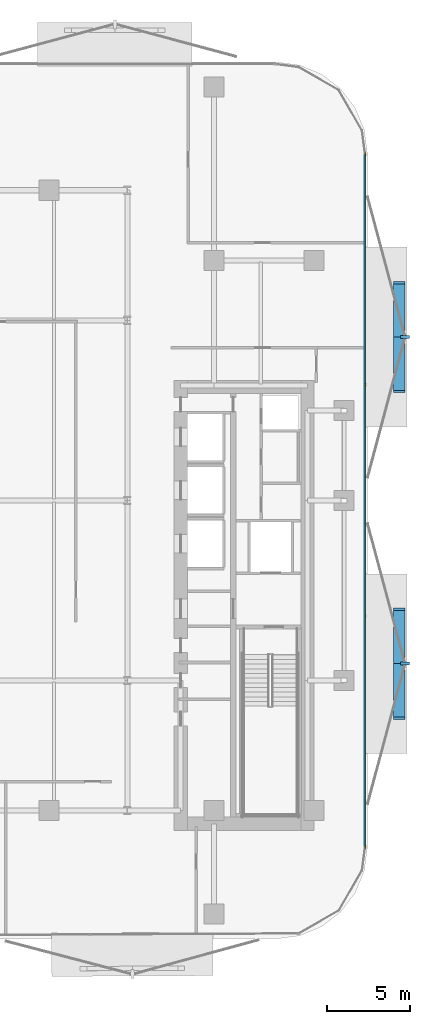
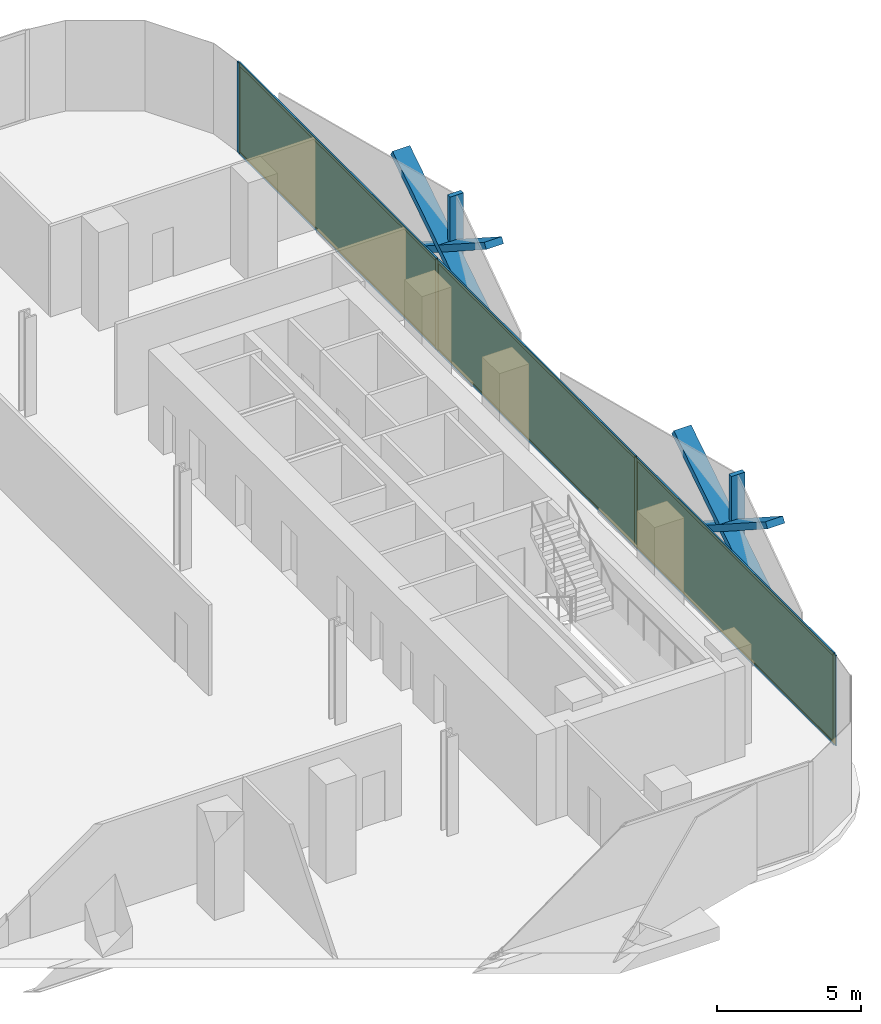
# One storey, part 9 of 15: 16 members, 3 plates, 1 curtain wall.
"""IFC4 building model written with IfcOpenShell, lengths in metres."""

from ifc_helpers import new_model, si_unit, direction, frame, frame_2d, origin, origin_2d, place, context, subcontext, project, spatial, rectangle, extrude, material, layer, layer_set, material_profile, profile_set, type_object, element, aggregate, save


model = new_model("IFC4")

# Units and contexts
model_context = context("Model", 3, precision=1e-05, world=origin(), true_north=direction((0.0, 1.0)))
body_context = subcontext(model_context, "Body", "Model", "MODEL_VIEW")
ifc_project = project(units=[si_unit("LENGTHUNIT", "METRE"), si_unit("AREAUNIT", "SQUARE_METRE"), si_unit("VOLUMEUNIT", "CUBIC_METRE"), si_unit("PLANEANGLEUNIT", "RADIAN"), si_unit("MASSUNIT", "GRAM", prefix="KILO")], contexts=[model_context])

# Member
ifc_material_1 = material(Name="Anodised Bronze Aluminium 6063-T6", Category="aluminium")
ifc_material_profile_1 = material_profile(ifc_material_1, rectangle(XDim=0.260009765625, YDim=0.699951171875, at=origin_2d()))
ifc_profile_set_1 = profile_set([ifc_material_profile_1], Name="Anodised Bronze Aluminium 6063-T6")
member_type_1 = type_object("IfcMemberType", Name="Bronze Diamond Solar-Screen Lattice Rib BDL-700", PredefinedType="MULLION", material=ifc_profile_set_1)
site_placement = place(None, origin())
building_placement = place(site_placement, origin())
storey_placement = place(building_placement, frame((0.0, 0.0, 147.800048828125)))
member_1_placement = place(storey_placement, frame((25.5, 13.060546875, -0.130126953125), z_axis=(0.0, -0.841051770023, 0.540954637785), x_axis=(0.0, -0.540954637785, -0.841051770023)))
member_1 = element("IfcMember", 1, at=member_1_placement, type_object=member_type_1, Name="L34 Bronze Diamond Solar Screen Lattice Rib 223A", PredefinedType="MULLION", context=body_context, shape_type="SweptSolid", body=[
    extrude(rectangle(XDim=0.260009765625, YDim=0.699951171875, at=origin_2d()), origin(), (0.0, 0.0, 1.0), 7.764404296875),
])

member_2_placement = place(storey_placement, frame((25.5, 6.5302734375, -0.130126953125), z_axis=(0.0, 0.841051770023, 0.540954637785), x_axis=(0.0, 0.540954637785, -0.841051770023)))
member_2 = element("IfcMember", 2, at=member_2_placement, type_object=member_type_1, Name="L34 Bronze Diamond Solar Screen Lattice Rib 223B", PredefinedType="MULLION", context=body_context, shape_type="SweptSolid", body=[
    extrude(rectangle(XDim=0.260009765625, YDim=0.699951171875, at=origin_2d()), origin(), (0.0, 0.0, 1.0), 7.764404296875),
])

member_3_placement = place(storey_placement, frame((25.5, -6.5302734375, -0.130126953125), z_axis=(0.0, -0.841051770023, 0.540954637785), x_axis=(0.0, -0.540954637785, -0.841051770023)))
member_3 = element("IfcMember", 3, at=member_3_placement, type_object=member_type_1, Name="L34 Bronze Diamond Solar Screen Lattice Rib 224A", PredefinedType="MULLION", context=body_context, shape_type="SweptSolid", body=[
    extrude(rectangle(XDim=0.260009765625, YDim=0.699951171875, at=origin_2d()), origin(), (0.0, 0.0, 1.0), 7.764404296875),
])

member_4_placement = place(storey_placement, frame((25.5, -13.060546875, -0.130126953125), z_axis=(0.0, 0.841051770023, 0.540954637785), x_axis=(0.0, 0.540954637785, -0.841051770023)))
member_4 = element("IfcMember", 4, at=member_4_placement, type_object=member_type_1, Name="L34 Bronze Diamond Solar Screen Lattice Rib 224B", PredefinedType="MULLION", context=body_context, shape_type="SweptSolid", body=[
    extrude(rectangle(XDim=0.260009765625, YDim=0.699951171875, at=origin_2d()), origin(), (0.0, 0.0, 1.0), 7.764404296875),
])

ifc_material_2 = material(Name="Anodised Bronze Aluminium 6063-T6", Category="aluminium")
ifc_material_profile_2 = material_profile(ifc_material_2, rectangle(XDim=0.179931640625, YDim=0.5400390625, at=origin_2d()))
ifc_profile_set_2 = profile_set([ifc_material_profile_2], Name="Anodised Bronze Aluminium 6063-T6")
member_type_2 = type_object("IfcMemberType", Name="Bronze Solar-Screen Vertical Fold Fin BSF-540", PredefinedType="MULLION", material=ifc_profile_set_2)
member_5_placement = place(storey_placement, frame((25.840087890625, 9.79541015625, -0.130126953125), z_axis=(0.0, 0.0, 1.0), x_axis=(0.0, -1.0, 0.0)))
member_5 = element("IfcMember", 5, at=member_5_placement, type_object=member_type_2, Name="L34 Bronze Solar Screen Vertical Fin 223", PredefinedType="MULLION", context=body_context, shape_type="SweptSolid", body=[
    extrude(rectangle(XDim=0.179931640625, YDim=0.5400390625, at=origin_2d()), origin(), (0.0, 0.0, 1.0), 4.2001953125),
])

member_6_placement = place(storey_placement, frame((25.840087890625, -9.79541015625, -0.130126953125), z_axis=(0.0, 0.0, 1.0), x_axis=(0.0, -1.0, 0.0)))
member_6 = element("IfcMember", 6, at=member_6_placement, type_object=member_type_2, Name="L34 Bronze Solar Screen Vertical Fin 224", PredefinedType="MULLION", context=body_context, shape_type="SweptSolid", body=[
    extrude(rectangle(XDim=0.179931640625, YDim=0.5400390625, at=origin_2d()), origin(), (0.0, 0.0, 1.0), 4.2001953125),
])

ifc_material_3 = material(Name="Anodised Bronze Aluminium 6063-T6", Category="aluminium")
ifc_material_profile_3 = material_profile(ifc_material_3, rectangle(XDim=0.06494140625, YDim=0.175048828125, at=origin_2d()))
ifc_profile_set_3 = profile_set([ifc_material_profile_3], Name="Anodised Bronze Aluminium 6063-T6")
member_type_3 = type_object("IfcMemberType", Name="CW-Z2 Mullion 65x175", PredefinedType="MULLION", material=ifc_profile_set_3)
member_7_placement = place(storey_placement, frame((23.4599609375, 20.75830078125, 0.0), z_axis=(0.0, 0.0, 1.0), x_axis=(1.0, 0.0, 0.0)))
member_7 = element("IfcMember", 7, at=member_7_placement, type_object=member_type_3, Name="CW-Z2 mullion 1", PredefinedType="MULLION", context=body_context, shape_type="SweptSolid", body=[
    extrude(rectangle(XDim=0.06494140625, YDim=0.175048828125, at=origin_2d()), origin(), (0.0, 0.0, 1.0), 3.849853515625),
])

member_8_placement = place(storey_placement, frame((23.4599609375, 6.93017578125, 0.0), z_axis=(0.0, 0.0, 1.0), x_axis=(1.0, 0.0, 0.0)))
member_8 = element("IfcMember", 8, at=member_8_placement, type_object=member_type_3, Name="CW-Z2 mullion 2", PredefinedType="MULLION", context=body_context, shape_type="SweptSolid", body=[
    extrude(rectangle(XDim=0.06494140625, YDim=0.175048828125, at=origin_2d()), origin(), (0.0, 0.0, 1.0), 3.849853515625),
])

member_9_placement = place(storey_placement, frame((23.4599609375, -6.93017578125, 0.0), z_axis=(0.0, 0.0, 1.0), x_axis=(1.0, 0.0, 0.0)))
member_9 = element("IfcMember", 9, at=member_9_placement, type_object=member_type_3, Name="CW-Z2 mullion 3", PredefinedType="MULLION", context=body_context, shape_type="SweptSolid", body=[
    extrude(rectangle(XDim=0.06494140625, YDim=0.175048828125, at=origin_2d()), origin(), (0.0, 0.0, 1.0), 3.849853515625),
])

member_10_placement = place(storey_placement, frame((23.4599609375, -20.75830078125, 0.0), z_axis=(0.0, 0.0, 1.0), x_axis=(1.0, 0.0, 0.0)))
member_10 = element("IfcMember", 10, at=member_10_placement, type_object=member_type_3, Name="CW-Z2 mullion 4", PredefinedType="MULLION", context=body_context, shape_type="SweptSolid", body=[
    extrude(rectangle(XDim=0.06494140625, YDim=0.175048828125, at=origin_2d()), origin(), (0.0, 0.0, 1.0), 3.849853515625),
])

ifc_material_4 = material(Name="Anodised Bronze Aluminium 6063-T6", Category="aluminium")
ifc_material_profile_4 = material_profile(ifc_material_4, rectangle(XDim=0.06494140625, YDim=0.135009765625, at=origin_2d()))
ifc_profile_set_4 = profile_set([ifc_material_profile_4], Name="Anodised Bronze Aluminium 6063-T6")
member_type_4 = type_object("IfcMemberType", Name="CW-Z2 Transom 65x135", PredefinedType="USERDEFINED", material=ifc_profile_set_4)
member_11_placement = place(storey_placement, frame((23.4599609375, 20.725830078125, 0.032470703125), z_axis=(0.0, -1.0, 0.0), x_axis=(1.0, 0.0, 0.0)))
member_11 = element("IfcMember", 11, at=member_11_placement, type_object=member_type_4, Name="CW-Z2 transom 1.1", ObjectType="TRANSOM", PredefinedType="USERDEFINED", context=body_context, shape_type="SweptSolid", body=[
    extrude(rectangle(XDim=0.06494140625, YDim=0.135009765625, at=origin_2d()), origin(), (0.0, 0.0, 1.0), 13.76318359375),
])

member_12_placement = place(storey_placement, frame((23.4599609375, 20.725830078125, 3.8173828125), z_axis=(0.0, -1.0, 0.0), x_axis=(1.0, 0.0, 0.0)))
member_12 = element("IfcMember", 12, at=member_12_placement, type_object=member_type_4, Name="CW-Z2 transom 1.2", ObjectType="TRANSOM", PredefinedType="USERDEFINED", context=body_context, shape_type="SweptSolid", body=[
    extrude(rectangle(XDim=0.06494140625, YDim=0.135009765625, at=origin_2d()), origin(), (0.0, 0.0, 1.0), 13.76318359375),
])

member_13_placement = place(storey_placement, frame((23.4599609375, 6.897705078125, 0.032470703125), z_axis=(0.0, -1.0, 0.0), x_axis=(1.0, 0.0, 0.0)))
member_13 = element("IfcMember", 13, at=member_13_placement, type_object=member_type_4, Name="CW-Z2 transom 2.1", ObjectType="TRANSOM", PredefinedType="USERDEFINED", context=body_context, shape_type="SweptSolid", body=[
    extrude(rectangle(XDim=0.06494140625, YDim=0.135009765625, at=origin_2d()), origin(), (0.0, 0.0, 1.0), 13.79541015625),
])

member_14_placement = place(storey_placement, frame((23.4599609375, 6.897705078125, 3.8173828125), z_axis=(0.0, -1.0, 0.0), x_axis=(1.0, 0.0, 0.0)))
member_14 = element("IfcMember", 14, at=member_14_placement, type_object=member_type_4, Name="CW-Z2 transom 2.2", ObjectType="TRANSOM", PredefinedType="USERDEFINED", context=body_context, shape_type="SweptSolid", body=[
    extrude(rectangle(XDim=0.06494140625, YDim=0.135009765625, at=origin_2d()), origin(), (0.0, 0.0, 1.0), 13.79541015625),
])

member_15_placement = place(storey_placement, frame((23.4599609375, -6.962646484375, 0.032470703125), z_axis=(0.0, -1.0, 0.0), x_axis=(1.0, 0.0, 0.0)))
member_15 = element("IfcMember", 15, at=member_15_placement, type_object=member_type_4, Name="CW-Z2 transom 3.1", ObjectType="TRANSOM", PredefinedType="USERDEFINED", context=body_context, shape_type="SweptSolid", body=[
    extrude(rectangle(XDim=0.06494140625, YDim=0.135009765625, at=origin_2d()), origin(), (0.0, 0.0, 1.0), 13.76318359375),
])

member_16_placement = place(storey_placement, frame((23.4599609375, -6.962646484375, 3.8173828125), z_axis=(0.0, -1.0, 0.0), x_axis=(1.0, 0.0, 0.0)))
member_16 = element("IfcMember", 16, at=member_16_placement, type_object=member_type_4, Name="CW-Z2 transom 3.2", ObjectType="TRANSOM", PredefinedType="USERDEFINED", context=body_context, shape_type="SweptSolid", body=[
    extrude(rectangle(XDim=0.06494140625, YDim=0.135009765625, at=origin_2d()), origin(), (0.0, 0.0, 1.0), 13.76318359375),
])

# Plate
ifc_material_5 = material(Name="Low-E Solar Control Laminated Glass", Category="glass")
ifc_layer_1 = layer(ifc_material_5, 0.028076171875, Name="Low-E Solar Control Laminated Glass")
ifc_layer_set_1 = layer_set([ifc_layer_1], Name="Low-E Solar Control Laminated Glass")
plate_type = type_object("IfcPlateType", Name="CW-Z2 Low-E Double Glazed Panel 28mm", PredefinedType="CURTAIN_PANEL", material=ifc_layer_set_1)
plate_1_placement = place(storey_placement, frame((23.4599609375, 13.84423828125, 0.06494140625), z_axis=(0.0, 0.0, 1.0), x_axis=(0.0, -1.0, 0.0)))
plate_1 = element("IfcPlate", 17, at=plate_1_placement, type_object=plate_type, Name="CW-Z2 panel 1.1", PredefinedType="CURTAIN_PANEL", context=body_context, shape_type="SweptSolid", body=[
    extrude(rectangle(XDim=13.762939453125, YDim=0.028076171875, at=origin_2d()), origin(), (0.0, 0.0, 1.0), 3.719970703125),
])

plate_2_placement = place(storey_placement, frame((23.4599609375, 0.0, 0.06494140625), z_axis=(0.0, 0.0, 1.0), x_axis=(0.0, -1.0, 0.0)))
plate_2 = element("IfcPlate", 18, at=plate_2_placement, type_object=plate_type, Name="CW-Z2 panel 2.1", PredefinedType="CURTAIN_PANEL", context=body_context, shape_type="SweptSolid", body=[
    extrude(rectangle(XDim=13.795654296875, YDim=0.028076171875, at=origin_2d()), origin(), (0.0, 0.0, 1.0), 3.719970703125),
])

plate_3_placement = place(storey_placement, frame((23.4599609375, -13.84423828125, 0.06494140625), z_axis=(0.0, 0.0, 1.0), x_axis=(0.0, -1.0, 0.0)))
plate_3 = element("IfcPlate", 19, at=plate_3_placement, type_object=plate_type, Name="CW-Z2 panel 3.1", PredefinedType="CURTAIN_PANEL", context=body_context, shape_type="SweptSolid", body=[
    extrude(rectangle(XDim=13.762939453125, YDim=0.028076171875, at=origin_2d()), origin(), (0.0, 0.0, 1.0), 3.719970703125),
])

# Site, building, storey
site = spatial("IfcSite", under=ifc_project, at=site_placement, CompositionType="ELEMENT")
building = spatial("IfcBuilding", under=site, at=building_placement, Name="Khairoan Windgate Tower", CompositionType="ELEMENT")
storey = spatial("IfcBuildingStorey", under=building, at=storey_placement, Name="L34", CompositionType="ELEMENT", Elevation=147.800048828125)

# Curtain wall
ifc_material_6 = material(Name="Anodised Bronze Aluminium 6063-T6", Category="aluminium")
ifc_layer_2 = layer(ifc_material_6, 0.175048828125, Name="Anodised Bronze Aluminium 6063-T6")
ifc_layer_set_2 = layer_set([ifc_layer_2], Name="Anodised Bronze Aluminium 6063-T6")
curtain_wall_type = type_object("IfcCurtainWallType", Name="Mid-Rise Office Unitised Curtain Wall CW-Z2", PredefinedType="NOTDEFINED", material=ifc_layer_set_2)
curtain_wall_placement = place(storey_placement, frame((23.4599609375, 20.790771484375, 0.0), z_axis=(0.0, 0.0, 1.0), x_axis=(0.0, -1.0, 0.0)))
curtain_wall = element("IfcCurtainWall", 20, at=curtain_wall_placement, inside=storey, type_object=curtain_wall_type, Name="L34 Unitised Curtain Wall 16", PredefinedType="NOTDEFINED", context=body_context, shape_type="SweptSolid", body=[
    extrude(rectangle(XDim=41.58154296875, YDim=0.010009765625, at=frame_2d((20.790771484375, 0.0))), origin(), (0.0, 0.0, 1.0), 3.849853515625),
])

aggregate(curtain_wall, [member_7, member_8, member_9, member_10, member_11, member_12, plate_1, member_13, member_14, plate_2, member_15, member_16, plate_3, member_1, member_2, member_5, member_3, member_4, member_6])

save(model, "model.ifc")
